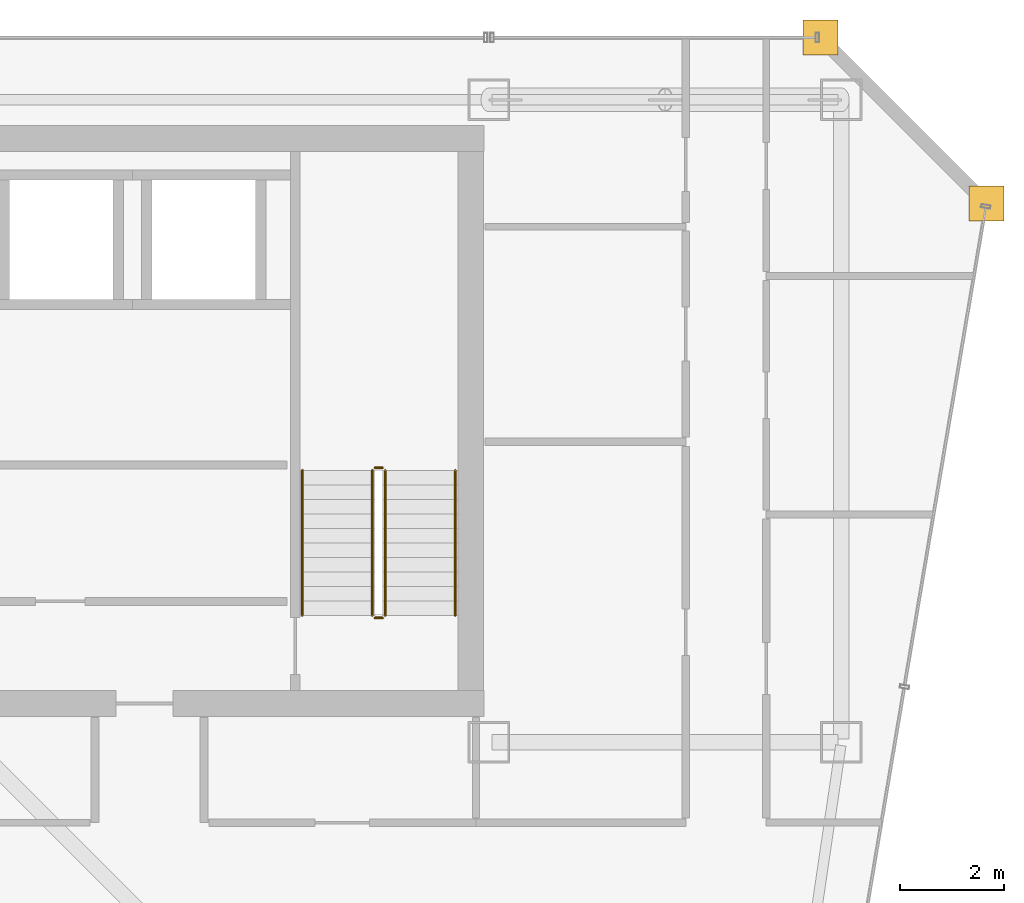
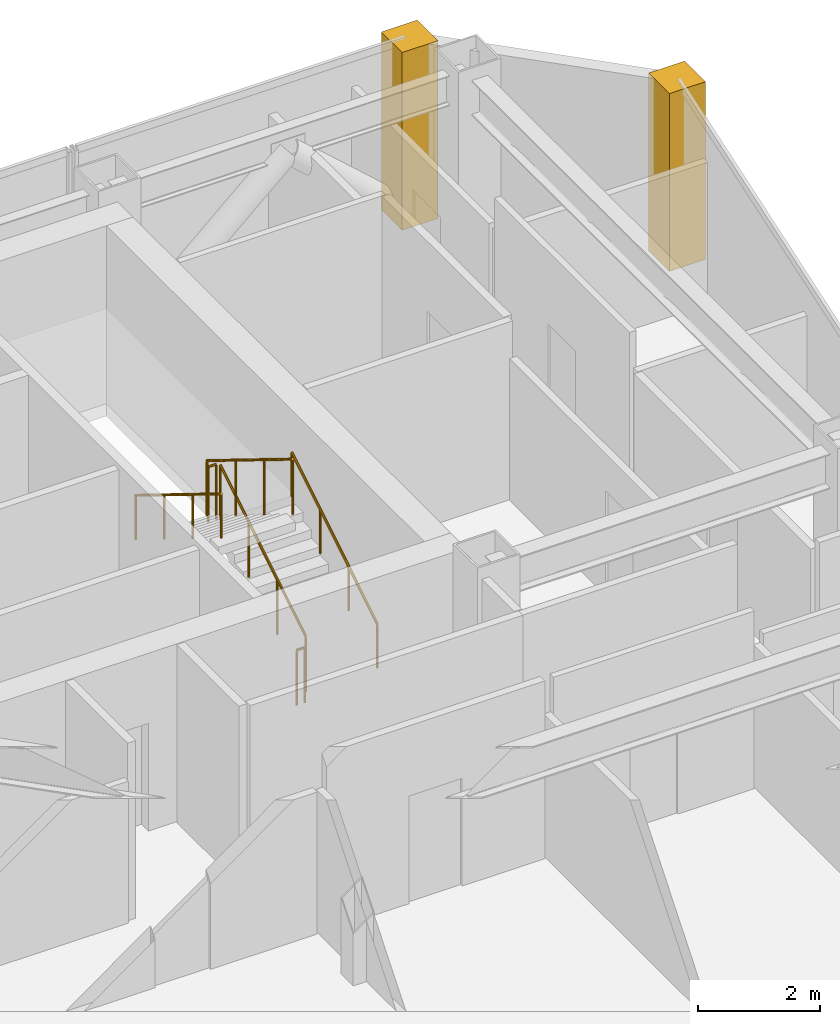
# One storey, part 36 of 36: 6 railings, 2 coverings.
"""IFC4 building model written with IfcOpenShell, lengths in metres."""

from ifc_helpers import new_model, si_unit, direction, frame, origin, origin_2d, place, context, subcontext, project, spatial, polyline, circle, outline, extrude, material, layer, layer_set, type_object, element, save


model = new_model("IFC4")

# Units and contexts
model_context = context("Model", 3, precision=1e-05, world=origin(), true_north=direction((0.0, 1.0)))
body_context = subcontext(model_context, "Body", "Model", "MODEL_VIEW")
ifc_project = project(units=[si_unit("LENGTHUNIT", "METRE"), si_unit("AREAUNIT", "SQUARE_METRE"), si_unit("VOLUMEUNIT", "CUBIC_METRE"), si_unit("PLANEANGLEUNIT", "RADIAN"), si_unit("MASSUNIT", "GRAM", prefix="KILO")], contexts=[model_context])

# Site, building, storey
site_placement = place(None, origin())
site = spatial("IfcSite", under=ifc_project, at=site_placement, CompositionType="ELEMENT")
building_placement = place(site_placement, origin())
building = spatial("IfcBuilding", under=site, at=building_placement, Name="Saevonmaru Cultural Tower", CompositionType="ELEMENT")
storey_placement = place(building_placement, frame((0.0, 0.0, 209.39990234375)))
storey = spatial("IfcBuildingStorey", under=building, at=storey_placement, Name="L48", CompositionType="ELEMENT", Elevation=209.39990234375)

# Coverings
ifc_material_1 = material(Name="Satin Bronze Anodised Aluminium", Category="aluminium")
ifc_layer = layer(ifc_material_1, 0.679931640625, Name="Satin Bronze Anodised Aluminium")
ifc_layer_set = layer_set([ifc_layer], Name="Satin Bronze Anodised Aluminium")
covering_type = type_object("IfcCoveringType", Name="CV-CORNER-CLAD", PredefinedType="CLADDING", material=ifc_layer_set)
covering_1_placement = place(storey_placement, origin())
element("IfcCovering", 1, at=covering_1_placement, inside=storey, type_object=covering_type, Name="L48 Tower Bronze Corner Cladding Pier 9", PredefinedType="CLADDING", context=body_context, shape_type="SweptSolid", body=[
    extrude(outline(polyline([(55.659912109375, 52.4599609375), (56.340087890625, 52.4599609375), (56.340087890625, 53.139892578125), (55.659912109375, 53.139892578125), (55.659912109375, 52.4599609375)])), origin(), (0.0, 0.0, 1.0), 3.550048828125),
])
covering_2_placement = place(storey_placement, origin())
element("IfcCovering", 2, at=covering_2_placement, inside=storey, type_object=covering_type, Name="L48 Tower Bronze Corner Cladding Pier 10", PredefinedType="CLADDING", context=body_context, shape_type="SweptSolid", body=[
    extrude(outline(polyline([(52.4599609375, 55.659912109375), (53.139892578125, 55.659912109375), (53.139892578125, 56.340087890625), (52.4599609375, 56.340087890625), (52.4599609375, 55.659912109375)])), origin(), (0.0, 0.0, 1.0), 3.550048828125),
])

# Railings
ifc_material_2 = material(Name="Architectural Painted Steel", Category="steel")
railing_type_1 = type_object("IfcRailingType", Name="RL-STAIR-GUARD", PredefinedType="GUARDRAIL", material=ifc_material_2)
railing_1_placement = place(storey_placement, frame((44.39990234375, 44.85009765625, 0.1728515625)))
element("IfcRailing", 3, at=railing_1_placement, inside=storey, type_object=railing_type_1, Name="L48 ST-2 stair guard 1", PredefinedType="GUARDRAIL", context=body_context, shape_type="SweptSolid", body=[
    extrude(circle(Radius=0.02392578125, at=origin_2d()), frame((0.0, 0.0, 1.09619140625), z_axis=(0.0, 0.851069175582, 0.525053576669), x_axis=(-1.0, 0.0, 0.0)), (0.0, 0.0, 1.0), 3.289794921875),
    extrude(circle(Radius=0.02099609375, at=origin_2d()), origin(), (0.0, 0.0, 1.0), 1.072021484375),
    extrude(circle(Radius=0.02099609375, at=origin_2d()), frame((0.0, 0.933349609375, 0.57568359375)), (0.0, 0.0, 1.0), 1.072021484375),
    extrude(circle(Radius=0.02099609375, at=origin_2d()), frame((0.0, 1.866455078125, 1.151611328125)), (0.0, 0.0, 1.0), 1.072021484375),
    extrude(circle(Radius=0.02099609375, at=origin_2d()), frame((0.0, 2.7998046875, 1.727294921875)), (0.0, 0.0, 1.0), 1.072021484375),
])
railing_2_placement = place(storey_placement, frame((44.35009765625, 47.699951171875, 1.900146484375)))
element("IfcRailing", 4, at=railing_2_placement, inside=storey, type_object=railing_type_1, Name="L48 ST-2 stair guard 2", PredefinedType="GUARDRAIL", context=body_context, shape_type="SweptSolid", body=[
    extrude(circle(Radius=0.02392578125, at=origin_2d()), frame((0.0, 0.0, 1.09619140625), z_axis=(-1.0, 0.0, 0.0), x_axis=(0.0, -1.0, 0.0)), (0.0, 0.0, 1.0), 0.150146484375),
    extrude(circle(Radius=0.02099609375, at=origin_2d()), origin(), (0.0, 0.0, 1.0), 1.072021484375),
    extrude(circle(Radius=0.02099609375, at=origin_2d()), frame((-0.150146484375, 0.0, 0.0)), (0.0, 0.0, 1.0), 1.072021484375),
])
railing_3_placement = place(storey_placement, frame((44.14990234375, 47.64990234375, 2.07275390625)))
element("IfcRailing", 5, at=railing_3_placement, inside=storey, type_object=railing_type_1, Name="L48 ST-2 stair guard 3", PredefinedType="GUARDRAIL", context=body_context, shape_type="SweptSolid", body=[
    extrude(circle(Radius=0.02392578125, at=origin_2d()), frame((0.0, 0.0, 1.09619140625), z_axis=(0.0, -0.851069175582, 0.525053576669), x_axis=(1.0, 0.0, 0.0)), (0.0, 0.0, 1.0), 3.289794921875),
    extrude(circle(Radius=0.02099609375, at=origin_2d()), origin(), (0.0, 0.0, 1.0), 1.072021484375),
    extrude(circle(Radius=0.02099609375, at=origin_2d()), frame((0.0, -0.933349609375, 0.57568359375)), (0.0, 0.0, 1.0), 1.072021484375),
    extrude(circle(Radius=0.02099609375, at=origin_2d()), frame((0.0, -1.866455078125, 1.151611328125)), (0.0, 0.0, 1.0), 1.072021484375),
    extrude(circle(Radius=0.02099609375, at=origin_2d()), frame((0.0, -2.7998046875, 1.727294921875)), (0.0, 0.0, 1.0), 1.072021484375),
])
railing_4_placement = place(storey_placement, frame((44.35009765625, 44.800048828125, 0.0)))
element("IfcRailing", 6, at=railing_4_placement, inside=storey, type_object=railing_type_1, Name="L48 ST-2 stair guard 4", PredefinedType="GUARDRAIL", context=body_context, shape_type="SweptSolid", body=[
    extrude(circle(Radius=0.02392578125, at=origin_2d()), frame((0.0, 0.0, 1.09619140625), z_axis=(-1.0, 0.0, 0.0), x_axis=(0.0, -1.0, 0.0)), (0.0, 0.0, 1.0), 0.150146484375),
    extrude(circle(Radius=0.02099609375, at=origin_2d()), origin(), (0.0, 0.0, 1.0), 1.072021484375),
    extrude(circle(Radius=0.02099609375, at=origin_2d()), frame((-0.150146484375, 0.0, 0.0)), (0.0, 0.0, 1.0), 1.072021484375),
])
railing_type_2 = type_object("IfcRailingType", Name="RL-STAIR-HANDRAIL", PredefinedType="HANDRAIL", material=ifc_material_1)
railing_5_placement = place(storey_placement, frame((45.75, 44.85009765625, 0.1728515625)))
element("IfcRailing", 7, at=railing_5_placement, inside=storey, type_object=railing_type_2, Name="L48 ST-2 stair handrail 1", PredefinedType="HANDRAIL", context=body_context, shape_type="SweptSolid", body=[
    extrude(circle(Radius=0.02392578125, at=origin_2d()), frame((0.0, 0.0, 0.8759765625), z_axis=(0.0, 0.851069175582, 0.525053576669), x_axis=(-1.0, 0.0, 0.0)), (0.0, 0.0, 1.0), 3.289794921875),
    extrude(circle(Radius=0.02099609375, at=origin_2d()), origin(), (0.0, 0.0, 1.0), 0.851806640625),
    extrude(circle(Radius=0.02099609375, at=origin_2d()), frame((0.0, 0.933349609375, 0.57568359375)), (0.0, 0.0, 1.0), 0.851806640625),
    extrude(circle(Radius=0.02099609375, at=origin_2d()), frame((0.0, 1.866455078125, 1.151611328125)), (0.0, 0.0, 1.0), 0.851806640625),
    extrude(circle(Radius=0.02099609375, at=origin_2d()), frame((0.0, 2.7998046875, 1.727294921875)), (0.0, 0.0, 1.0), 0.851806640625),
])
railing_6_placement = place(storey_placement, frame((42.800048828125, 47.64990234375, 2.07275390625)))
element("IfcRailing", 8, at=railing_6_placement, inside=storey, type_object=railing_type_2, Name="L48 ST-2 stair handrail 2", PredefinedType="HANDRAIL", context=body_context, shape_type="SweptSolid", body=[
    extrude(circle(Radius=0.02392578125, at=origin_2d()), frame((0.0, 0.0, 0.8759765625), z_axis=(0.0, -0.851069175582, 0.525053576669), x_axis=(1.0, 0.0, 0.0)), (0.0, 0.0, 1.0), 3.289794921875),
    extrude(circle(Radius=0.02099609375, at=origin_2d()), origin(), (0.0, 0.0, 1.0), 0.851806640625),
    extrude(circle(Radius=0.02099609375, at=origin_2d()), frame((0.0, -0.933349609375, 0.57568359375)), (0.0, 0.0, 1.0), 0.851806640625),
    extrude(circle(Radius=0.02099609375, at=origin_2d()), frame((0.0, -1.866455078125, 1.151611328125)), (0.0, 0.0, 1.0), 0.851806640625),
    extrude(circle(Radius=0.02099609375, at=origin_2d()), frame((0.0, -2.7998046875, 1.727294921875)), (0.0, 0.0, 1.0), 0.851806640625),
])

save(model, "model.ifc")
